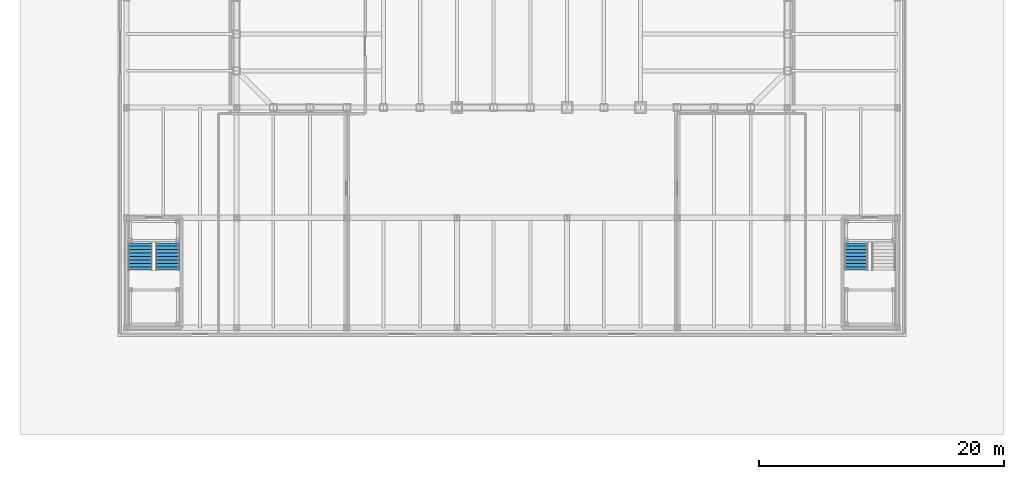
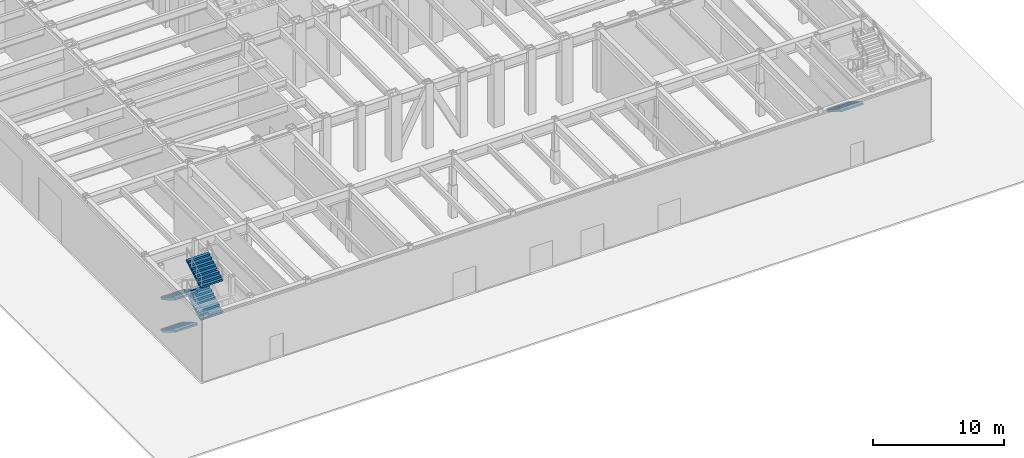
# One storey, part 11 of 35: 5 stair flights, 2 elements without a shape of their own.
"""IFC4 building model written with IfcOpenShell, lengths in metres."""

from ifc_helpers import new_model, si_unit, direction, frame, origin, place, context, subcontext, project, spatial, faceted_brep, material, type_object, element, aggregate, save


model = new_model("IFC4")

# Units and contexts
model_context = context("Model", 3, precision=1e-05, world=origin(), true_north=direction((0.0, 1.0)))
body_context = subcontext(model_context, "Body", "Model", "MODEL_VIEW")
ifc_project = project(units=[si_unit("LENGTHUNIT", "METRE"), si_unit("AREAUNIT", "SQUARE_METRE"), si_unit("VOLUMEUNIT", "CUBIC_METRE"), si_unit("PLANEANGLEUNIT", "RADIAN"), si_unit("MASSUNIT", "GRAM", prefix="KILO")], contexts=[model_context])

# Site, building, storey
site_placement = place(None, origin())
site = spatial("IfcSite", under=ifc_project, at=site_placement, CompositionType="ELEMENT")
building_placement = place(site_placement, origin())
building = spatial("IfcBuilding", under=site, at=building_placement, Name="Chuquiago Exchange Tower", CompositionType="ELEMENT")
storey_placement = place(building_placement, origin())
storey = spatial("IfcBuildingStorey", under=building, at=storey_placement, Name="L00", CompositionType="ELEMENT", Elevation=0.0)

# Stair, stair flights
ifc_material_1 = material(Name="Concrete C30/37, precast", Category="concrete")
stair_type_1 = type_object("IfcStairType", Name="PS1 double half-turn stair 6000", PredefinedType="DOUBLE_RETURN_STAIR", material=ifc_material_1)
stair_1_placement = place(storey_placement, origin())
stair_1 = element("IfcStair", 1, at=stair_1_placement, inside=storey, type_object=stair_type_1, Name="Stair PS1 L00", PredefinedType="DOUBLE_RETURN_STAIR")
ifc_material_2 = material(Name="Concrete C30/37, precast", Category="concrete")
stair_flight_type = type_object("IfcStairFlightType", Name="ST-F flight 1950 for 6000 storey", PredefinedType="STRAIGHT", material=ifc_material_2)
stair_flight_1_placement = place(storey_placement, frame((-7.875, -11.050048828125, 0.0), z_axis=(0.0, 0.0, 1.0), x_axis=(0.0, -1.0, 0.0)))
stair_flight_1 = element("IfcStairFlight", 2, at=stair_flight_1_placement, type_object=stair_flight_type, Name="PS1 flight 1", NumberOfRisers=9, NumberOfTreads=8, PredefinedType="STRAIGHT", RiserHeight=0.166666667, TreadLength=0.28, context=body_context, shape_type="Brep", body=[
    faceted_brep([(0.0, 0.97509765625, 0.0), (0.0, 0.97509765625, 0.166748046875), (0.280029296875, 0.97509765625, 0.166748046875), (0.280029296875, 0.97509765625, 0.333251953125), (0.56005859375, 0.97509765625, 0.333251953125), (0.56005859375, 0.97509765625, 0.5), (0.840087890625, 0.97509765625, 0.5), (0.840087890625, 0.97509765625, 0.666748046875), (1.1201171875, 0.97509765625, 0.666748046875), (1.1201171875, 0.97509765625, 0.833251953125), (1.39990234375, 0.97509765625, 0.833251953125), (1.39990234375, 0.97509765625, 1.0), (1.679931640625, 0.97509765625, 1.0), (1.679931640625, 0.97509765625, 1.166748046875), (1.9599609375, 0.97509765625, 1.166748046875), (1.9599609375, 0.97509765625, 1.333251953125), (2.239990234375, 0.97509765625, 1.333251953125), (2.239990234375, 0.97509765625, 1.158935546875), (0.29296875, 0.97509765625, 0.0), (0.29296875, -0.97509765625, 0.0), (2.239990234375, -0.97509765625, 1.158935546875), (2.239990234375, -0.97509765625, 1.333251953125), (1.9599609375, -0.97509765625, 1.333251953125), (1.9599609375, -0.97509765625, 1.166748046875), (1.679931640625, -0.97509765625, 1.166748046875), (1.679931640625, -0.97509765625, 1.0), (1.39990234375, -0.97509765625, 1.0), (1.39990234375, -0.97509765625, 0.833251953125), (1.1201171875, -0.97509765625, 0.833251953125), (1.1201171875, -0.97509765625, 0.666748046875), (0.840087890625, -0.97509765625, 0.666748046875), (0.840087890625, -0.97509765625, 0.5), (0.56005859375, -0.97509765625, 0.5), (0.56005859375, -0.97509765625, 0.333251953125), (0.280029296875, -0.97509765625, 0.333251953125), (0.280029296875, -0.97509765625, 0.166748046875), (0.0, -0.97509765625, 0.166748046875), (0.0, -0.97509765625, 0.0), (0.0, 0.487548828125, 0.0), (0.0, 0.487548828125, 0.166748046875), (0.0, 0.0, 0.0), (0.0, 0.0, 0.166748046875), (0.0, -0.487548828125, 0.0), (0.0, -0.487548828125, 0.166748046875), (0.280029296875, 0.487548828125, 0.166748046875), (0.280029296875, 0.0, 0.166748046875), (0.280029296875, -0.487548828125, 0.166748046875), (0.280029296875, 0.487548828125, 0.333251953125), (0.280029296875, 0.0, 0.333251953125), (0.280029296875, -0.487548828125, 0.333251953125), (0.56005859375, 0.487548828125, 0.333251953125), (0.56005859375, 0.0, 0.333251953125), (0.56005859375, -0.487548828125, 0.333251953125), (0.56005859375, 0.487548828125, 0.5), (0.56005859375, 0.0, 0.5), (0.56005859375, -0.487548828125, 0.5), (0.840087890625, 0.487548828125, 0.5), (0.840087890625, 0.0, 0.5), (0.840087890625, -0.487548828125, 0.5), (0.840087890625, 0.487548828125, 0.666748046875), (0.840087890625, 0.0, 0.666748046875), (0.840087890625, -0.487548828125, 0.666748046875), (1.1201171875, 0.487548828125, 0.666748046875), (1.1201171875, 0.0, 0.666748046875), (1.1201171875, -0.487548828125, 0.666748046875), (1.1201171875, 0.487548828125, 0.833251953125), (1.1201171875, 0.0, 0.833251953125), (1.1201171875, -0.487548828125, 0.833251953125), (1.39990234375, 0.487548828125, 0.833251953125), (1.39990234375, 0.0, 0.833251953125), (1.39990234375, -0.487548828125, 0.833251953125), (1.39990234375, 0.487548828125, 1.0), (1.39990234375, 0.0, 1.0), (1.39990234375, -0.487548828125, 1.0), (1.679931640625, 0.487548828125, 1.0), (1.679931640625, 0.0, 1.0), (1.679931640625, -0.487548828125, 1.0), (1.679931640625, 0.487548828125, 1.166748046875), (1.679931640625, 0.0, 1.166748046875), (1.679931640625, -0.487548828125, 1.166748046875), (1.9599609375, 0.487548828125, 1.166748046875), (1.9599609375, 0.0, 1.166748046875), (1.9599609375, -0.487548828125, 1.166748046875), (1.9599609375, 0.487548828125, 1.333251953125), (1.9599609375, 0.0, 1.333251953125), (1.9599609375, -0.487548828125, 1.333251953125), (2.239990234375, 0.487548828125, 1.333251953125), (2.239990234375, 0.0, 1.333251953125), (2.239990234375, -0.487548828125, 1.333251953125), (2.239990234375, 0.487548828125, 1.158935546875), (2.239990234375, 0.0, 1.158935546875), (2.239990234375, -0.487548828125, 1.158935546875), (0.29296875, 0.487548828125, 0.0), (0.29296875, 0.0, 0.0), (0.29296875, -0.487548828125, 0.0)], [[[0, 1, 2, 3, 4, 5, 6, 7, 8, 9, 10, 11, 12, 13, 14, 15, 16, 17, 18]], [[19, 20, 21, 22, 23, 24, 25, 26, 27, 28, 29, 30, 31, 32, 33, 34, 35, 36, 37]], [[1, 0, 38, 39]], [[39, 38, 40, 41]], [[41, 40, 42, 43]], [[43, 42, 37, 36]], [[2, 1, 39, 44]], [[44, 39, 41, 45]], [[45, 41, 43, 46]], [[46, 43, 36, 35]], [[3, 2, 44, 47]], [[47, 44, 45, 48]], [[48, 45, 46, 49]], [[49, 46, 35, 34]], [[4, 3, 47, 50]], [[50, 47, 48, 51]], [[51, 48, 49, 52]], [[52, 49, 34, 33]], [[5, 4, 50, 53]], [[53, 50, 51, 54]], [[54, 51, 52, 55]], [[55, 52, 33, 32]], [[6, 5, 53, 56]], [[56, 53, 54, 57]], [[57, 54, 55, 58]], [[58, 55, 32, 31]], [[7, 6, 56, 59]], [[59, 56, 57, 60]], [[60, 57, 58, 61]], [[61, 58, 31, 30]], [[8, 7, 59, 62]], [[62, 59, 60, 63]], [[63, 60, 61, 64]], [[64, 61, 30, 29]], [[9, 8, 62, 65]], [[65, 62, 63, 66]], [[66, 63, 64, 67]], [[67, 64, 29, 28]], [[10, 9, 65, 68]], [[68, 65, 66, 69]], [[69, 66, 67, 70]], [[70, 67, 28, 27]], [[11, 10, 68, 71]], [[71, 68, 69, 72]], [[72, 69, 70, 73]], [[73, 70, 27, 26]], [[12, 11, 71, 74]], [[74, 71, 72, 75]], [[75, 72, 73, 76]], [[76, 73, 26, 25]], [[13, 12, 74, 77]], [[77, 74, 75, 78]], [[78, 75, 76, 79]], [[79, 76, 25, 24]], [[14, 13, 77, 80]], [[80, 77, 78, 81]], [[81, 78, 79, 82]], [[82, 79, 24, 23]], [[15, 14, 80, 83]], [[83, 80, 81, 84]], [[84, 81, 82, 85]], [[85, 82, 23, 22]], [[16, 15, 83, 86]], [[86, 83, 84, 87]], [[87, 84, 85, 88]], [[88, 85, 22, 21]], [[17, 16, 86, 89]], [[89, 86, 87, 90]], [[90, 87, 88, 91]], [[91, 88, 21, 20]], [[18, 17, 89, 92]], [[92, 89, 90, 93]], [[93, 90, 91, 94]], [[94, 91, 20, 19]], [[0, 18, 92, 38]], [[38, 92, 93, 40]], [[40, 93, 94, 42]], [[42, 94, 19, 37]]]),
])
stair_flight_2_placement = place(storey_placement, frame((-5.625, -13.2900390625, 1.5), z_axis=(0.0, 0.0, 1.0), x_axis=(0.0, 1.0, 0.0)))
stair_flight_2 = element("IfcStairFlight", 3, at=stair_flight_2_placement, type_object=stair_flight_type, Name="PS1 flight 2", NumberOfRisers=9, NumberOfTreads=8, PredefinedType="STRAIGHT", RiserHeight=0.166666667, TreadLength=0.28, context=body_context, shape_type="Brep", body=[
    faceted_brep([(0.0, 0.97509765625, 0.0), (0.0, 0.97509765625, 0.166748046875), (0.280029296875, 0.97509765625, 0.166748046875), (0.280029296875, 0.97509765625, 0.333251953125), (0.56005859375, 0.97509765625, 0.333251953125), (0.56005859375, 0.97509765625, 0.5), (0.840087890625, 0.97509765625, 0.5), (0.840087890625, 0.97509765625, 0.666748046875), (1.1201171875, 0.97509765625, 0.666748046875), (1.1201171875, 0.97509765625, 0.833251953125), (1.39990234375, 0.97509765625, 0.833251953125), (1.39990234375, 0.97509765625, 1.0), (1.679931640625, 0.97509765625, 1.0), (1.679931640625, 0.97509765625, 1.166748046875), (1.9599609375, 0.97509765625, 1.166748046875), (1.9599609375, 0.97509765625, 1.333251953125), (2.239990234375, 0.97509765625, 1.333251953125), (2.239990234375, 0.97509765625, 1.158935546875), (0.29296875, 0.97509765625, 0.0), (0.29296875, -0.97509765625, 0.0), (2.239990234375, -0.97509765625, 1.158935546875), (2.239990234375, -0.97509765625, 1.333251953125), (1.9599609375, -0.97509765625, 1.333251953125), (1.9599609375, -0.97509765625, 1.166748046875), (1.679931640625, -0.97509765625, 1.166748046875), (1.679931640625, -0.97509765625, 1.0), (1.39990234375, -0.97509765625, 1.0), (1.39990234375, -0.97509765625, 0.833251953125), (1.1201171875, -0.97509765625, 0.833251953125), (1.1201171875, -0.97509765625, 0.666748046875), (0.840087890625, -0.97509765625, 0.666748046875), (0.840087890625, -0.97509765625, 0.5), (0.56005859375, -0.97509765625, 0.5), (0.56005859375, -0.97509765625, 0.333251953125), (0.280029296875, -0.97509765625, 0.333251953125), (0.280029296875, -0.97509765625, 0.166748046875), (0.0, -0.97509765625, 0.166748046875), (0.0, -0.97509765625, 0.0), (0.0, 0.487548828125, 0.0), (0.0, 0.487548828125, 0.166748046875), (0.0, 0.0, 0.0), (0.0, 0.0, 0.166748046875), (0.0, -0.487548828125, 0.0), (0.0, -0.487548828125, 0.166748046875), (0.280029296875, 0.487548828125, 0.166748046875), (0.280029296875, 0.0, 0.166748046875), (0.280029296875, -0.487548828125, 0.166748046875), (0.280029296875, 0.487548828125, 0.333251953125), (0.280029296875, 0.0, 0.333251953125), (0.280029296875, -0.487548828125, 0.333251953125), (0.56005859375, 0.487548828125, 0.333251953125), (0.56005859375, 0.0, 0.333251953125), (0.56005859375, -0.487548828125, 0.333251953125), (0.56005859375, 0.487548828125, 0.5), (0.56005859375, 0.0, 0.5), (0.56005859375, -0.487548828125, 0.5), (0.840087890625, 0.487548828125, 0.5), (0.840087890625, 0.0, 0.5), (0.840087890625, -0.487548828125, 0.5), (0.840087890625, 0.487548828125, 0.666748046875), (0.840087890625, 0.0, 0.666748046875), (0.840087890625, -0.487548828125, 0.666748046875), (1.1201171875, 0.487548828125, 0.666748046875), (1.1201171875, 0.0, 0.666748046875), (1.1201171875, -0.487548828125, 0.666748046875), (1.1201171875, 0.487548828125, 0.833251953125), (1.1201171875, 0.0, 0.833251953125), (1.1201171875, -0.487548828125, 0.833251953125), (1.39990234375, 0.487548828125, 0.833251953125), (1.39990234375, 0.0, 0.833251953125), (1.39990234375, -0.487548828125, 0.833251953125), (1.39990234375, 0.487548828125, 1.0), (1.39990234375, 0.0, 1.0), (1.39990234375, -0.487548828125, 1.0), (1.679931640625, 0.487548828125, 1.0), (1.679931640625, 0.0, 1.0), (1.679931640625, -0.487548828125, 1.0), (1.679931640625, 0.487548828125, 1.166748046875), (1.679931640625, 0.0, 1.166748046875), (1.679931640625, -0.487548828125, 1.166748046875), (1.9599609375, 0.487548828125, 1.166748046875), (1.9599609375, 0.0, 1.166748046875), (1.9599609375, -0.487548828125, 1.166748046875), (1.9599609375, 0.487548828125, 1.333251953125), (1.9599609375, 0.0, 1.333251953125), (1.9599609375, -0.487548828125, 1.333251953125), (2.239990234375, 0.487548828125, 1.333251953125), (2.239990234375, 0.0, 1.333251953125), (2.239990234375, -0.487548828125, 1.333251953125), (2.239990234375, 0.487548828125, 1.158935546875), (2.239990234375, 0.0, 1.158935546875), (2.239990234375, -0.487548828125, 1.158935546875), (0.29296875, 0.487548828125, 0.0), (0.29296875, 0.0, 0.0), (0.29296875, -0.487548828125, 0.0)], [[[0, 1, 2, 3, 4, 5, 6, 7, 8, 9, 10, 11, 12, 13, 14, 15, 16, 17, 18]], [[19, 20, 21, 22, 23, 24, 25, 26, 27, 28, 29, 30, 31, 32, 33, 34, 35, 36, 37]], [[1, 0, 38, 39]], [[39, 38, 40, 41]], [[41, 40, 42, 43]], [[43, 42, 37, 36]], [[2, 1, 39, 44]], [[44, 39, 41, 45]], [[45, 41, 43, 46]], [[46, 43, 36, 35]], [[3, 2, 44, 47]], [[47, 44, 45, 48]], [[48, 45, 46, 49]], [[49, 46, 35, 34]], [[4, 3, 47, 50]], [[50, 47, 48, 51]], [[51, 48, 49, 52]], [[52, 49, 34, 33]], [[5, 4, 50, 53]], [[53, 50, 51, 54]], [[54, 51, 52, 55]], [[55, 52, 33, 32]], [[6, 5, 53, 56]], [[56, 53, 54, 57]], [[57, 54, 55, 58]], [[58, 55, 32, 31]], [[7, 6, 56, 59]], [[59, 56, 57, 60]], [[60, 57, 58, 61]], [[61, 58, 31, 30]], [[8, 7, 59, 62]], [[62, 59, 60, 63]], [[63, 60, 61, 64]], [[64, 61, 30, 29]], [[9, 8, 62, 65]], [[65, 62, 63, 66]], [[66, 63, 64, 67]], [[67, 64, 29, 28]], [[10, 9, 65, 68]], [[68, 65, 66, 69]], [[69, 66, 67, 70]], [[70, 67, 28, 27]], [[11, 10, 68, 71]], [[71, 68, 69, 72]], [[72, 69, 70, 73]], [[73, 70, 27, 26]], [[12, 11, 71, 74]], [[74, 71, 72, 75]], [[75, 72, 73, 76]], [[76, 73, 26, 25]], [[13, 12, 74, 77]], [[77, 74, 75, 78]], [[78, 75, 76, 79]], [[79, 76, 25, 24]], [[14, 13, 77, 80]], [[80, 77, 78, 81]], [[81, 78, 79, 82]], [[82, 79, 24, 23]], [[15, 14, 80, 83]], [[83, 80, 81, 84]], [[84, 81, 82, 85]], [[85, 82, 23, 22]], [[16, 15, 83, 86]], [[86, 83, 84, 87]], [[87, 84, 85, 88]], [[88, 85, 22, 21]], [[17, 16, 86, 89]], [[89, 86, 87, 90]], [[90, 87, 88, 91]], [[91, 88, 21, 20]], [[18, 17, 89, 92]], [[92, 89, 90, 93]], [[93, 90, 91, 94]], [[94, 91, 20, 19]], [[0, 18, 92, 38]], [[38, 92, 93, 40]], [[40, 93, 94, 42]], [[42, 94, 19, 37]]]),
])
stair_flight_3_placement = place(storey_placement, frame((-7.875, -11.050048828125, 3.0), z_axis=(0.0, 0.0, 1.0), x_axis=(0.0, -1.0, 0.0)))
stair_flight_3 = element("IfcStairFlight", 4, at=stair_flight_3_placement, type_object=stair_flight_type, Name="PS1 flight 3", NumberOfRisers=9, NumberOfTreads=8, PredefinedType="STRAIGHT", RiserHeight=0.166666667, TreadLength=0.28, context=body_context, shape_type="Brep", body=[
    faceted_brep([(0.0, 0.97509765625, 0.0), (0.0, 0.97509765625, 0.166748046875), (0.280029296875, 0.97509765625, 0.166748046875), (0.280029296875, 0.97509765625, 0.333251953125), (0.56005859375, 0.97509765625, 0.333251953125), (0.56005859375, 0.97509765625, 0.5), (0.840087890625, 0.97509765625, 0.5), (0.840087890625, 0.97509765625, 0.666748046875), (1.1201171875, 0.97509765625, 0.666748046875), (1.1201171875, 0.97509765625, 0.833251953125), (1.39990234375, 0.97509765625, 0.833251953125), (1.39990234375, 0.97509765625, 1.0), (1.679931640625, 0.97509765625, 1.0), (1.679931640625, 0.97509765625, 1.166748046875), (1.9599609375, 0.97509765625, 1.166748046875), (1.9599609375, 0.97509765625, 1.333251953125), (2.239990234375, 0.97509765625, 1.333251953125), (2.239990234375, 0.97509765625, 1.158935546875), (0.29296875, 0.97509765625, 0.0), (0.29296875, -0.97509765625, 0.0), (2.239990234375, -0.97509765625, 1.158935546875), (2.239990234375, -0.97509765625, 1.333251953125), (1.9599609375, -0.97509765625, 1.333251953125), (1.9599609375, -0.97509765625, 1.166748046875), (1.679931640625, -0.97509765625, 1.166748046875), (1.679931640625, -0.97509765625, 1.0), (1.39990234375, -0.97509765625, 1.0), (1.39990234375, -0.97509765625, 0.833251953125), (1.1201171875, -0.97509765625, 0.833251953125), (1.1201171875, -0.97509765625, 0.666748046875), (0.840087890625, -0.97509765625, 0.666748046875), (0.840087890625, -0.97509765625, 0.5), (0.56005859375, -0.97509765625, 0.5), (0.56005859375, -0.97509765625, 0.333251953125), (0.280029296875, -0.97509765625, 0.333251953125), (0.280029296875, -0.97509765625, 0.166748046875), (0.0, -0.97509765625, 0.166748046875), (0.0, -0.97509765625, 0.0), (0.0, 0.487548828125, 0.0), (0.0, 0.487548828125, 0.166748046875), (0.0, 0.0, 0.0), (0.0, 0.0, 0.166748046875), (0.0, -0.487548828125, 0.0), (0.0, -0.487548828125, 0.166748046875), (0.280029296875, 0.487548828125, 0.166748046875), (0.280029296875, 0.0, 0.166748046875), (0.280029296875, -0.487548828125, 0.166748046875), (0.280029296875, 0.487548828125, 0.333251953125), (0.280029296875, 0.0, 0.333251953125), (0.280029296875, -0.487548828125, 0.333251953125), (0.56005859375, 0.487548828125, 0.333251953125), (0.56005859375, 0.0, 0.333251953125), (0.56005859375, -0.487548828125, 0.333251953125), (0.56005859375, 0.487548828125, 0.5), (0.56005859375, 0.0, 0.5), (0.56005859375, -0.487548828125, 0.5), (0.840087890625, 0.487548828125, 0.5), (0.840087890625, 0.0, 0.5), (0.840087890625, -0.487548828125, 0.5), (0.840087890625, 0.487548828125, 0.666748046875), (0.840087890625, 0.0, 0.666748046875), (0.840087890625, -0.487548828125, 0.666748046875), (1.1201171875, 0.487548828125, 0.666748046875), (1.1201171875, 0.0, 0.666748046875), (1.1201171875, -0.487548828125, 0.666748046875), (1.1201171875, 0.487548828125, 0.833251953125), (1.1201171875, 0.0, 0.833251953125), (1.1201171875, -0.487548828125, 0.833251953125), (1.39990234375, 0.487548828125, 0.833251953125), (1.39990234375, 0.0, 0.833251953125), (1.39990234375, -0.487548828125, 0.833251953125), (1.39990234375, 0.487548828125, 1.0), (1.39990234375, 0.0, 1.0), (1.39990234375, -0.487548828125, 1.0), (1.679931640625, 0.487548828125, 1.0), (1.679931640625, 0.0, 1.0), (1.679931640625, -0.487548828125, 1.0), (1.679931640625, 0.487548828125, 1.166748046875), (1.679931640625, 0.0, 1.166748046875), (1.679931640625, -0.487548828125, 1.166748046875), (1.9599609375, 0.487548828125, 1.166748046875), (1.9599609375, 0.0, 1.166748046875), (1.9599609375, -0.487548828125, 1.166748046875), (1.9599609375, 0.487548828125, 1.333251953125), (1.9599609375, 0.0, 1.333251953125), (1.9599609375, -0.487548828125, 1.333251953125), (2.239990234375, 0.487548828125, 1.333251953125), (2.239990234375, 0.0, 1.333251953125), (2.239990234375, -0.487548828125, 1.333251953125), (2.239990234375, 0.487548828125, 1.158935546875), (2.239990234375, 0.0, 1.158935546875), (2.239990234375, -0.487548828125, 1.158935546875), (0.29296875, 0.487548828125, 0.0), (0.29296875, 0.0, 0.0), (0.29296875, -0.487548828125, 0.0)], [[[0, 1, 2, 3, 4, 5, 6, 7, 8, 9, 10, 11, 12, 13, 14, 15, 16, 17, 18]], [[19, 20, 21, 22, 23, 24, 25, 26, 27, 28, 29, 30, 31, 32, 33, 34, 35, 36, 37]], [[1, 0, 38, 39]], [[39, 38, 40, 41]], [[41, 40, 42, 43]], [[43, 42, 37, 36]], [[2, 1, 39, 44]], [[44, 39, 41, 45]], [[45, 41, 43, 46]], [[46, 43, 36, 35]], [[3, 2, 44, 47]], [[47, 44, 45, 48]], [[48, 45, 46, 49]], [[49, 46, 35, 34]], [[4, 3, 47, 50]], [[50, 47, 48, 51]], [[51, 48, 49, 52]], [[52, 49, 34, 33]], [[5, 4, 50, 53]], [[53, 50, 51, 54]], [[54, 51, 52, 55]], [[55, 52, 33, 32]], [[6, 5, 53, 56]], [[56, 53, 54, 57]], [[57, 54, 55, 58]], [[58, 55, 32, 31]], [[7, 6, 56, 59]], [[59, 56, 57, 60]], [[60, 57, 58, 61]], [[61, 58, 31, 30]], [[8, 7, 59, 62]], [[62, 59, 60, 63]], [[63, 60, 61, 64]], [[64, 61, 30, 29]], [[9, 8, 62, 65]], [[65, 62, 63, 66]], [[66, 63, 64, 67]], [[67, 64, 29, 28]], [[10, 9, 65, 68]], [[68, 65, 66, 69]], [[69, 66, 67, 70]], [[70, 67, 28, 27]], [[11, 10, 68, 71]], [[71, 68, 69, 72]], [[72, 69, 70, 73]], [[73, 70, 27, 26]], [[12, 11, 71, 74]], [[74, 71, 72, 75]], [[75, 72, 73, 76]], [[76, 73, 26, 25]], [[13, 12, 74, 77]], [[77, 74, 75, 78]], [[78, 75, 76, 79]], [[79, 76, 25, 24]], [[14, 13, 77, 80]], [[80, 77, 78, 81]], [[81, 78, 79, 82]], [[82, 79, 24, 23]], [[15, 14, 80, 83]], [[83, 80, 81, 84]], [[84, 81, 82, 85]], [[85, 82, 23, 22]], [[16, 15, 83, 86]], [[86, 83, 84, 87]], [[87, 84, 85, 88]], [[88, 85, 22, 21]], [[17, 16, 86, 89]], [[89, 86, 87, 90]], [[90, 87, 88, 91]], [[91, 88, 21, 20]], [[18, 17, 89, 92]], [[92, 89, 90, 93]], [[93, 90, 91, 94]], [[94, 91, 20, 19]], [[0, 18, 92, 38]], [[38, 92, 93, 40]], [[40, 93, 94, 42]], [[42, 94, 19, 37]]]),
])
stair_flight_4_placement = place(storey_placement, frame((-5.625, -13.2900390625, 4.5), z_axis=(0.0, 0.0, 1.0), x_axis=(0.0, 1.0, 0.0)))
stair_flight_4 = element("IfcStairFlight", 5, at=stair_flight_4_placement, type_object=stair_flight_type, Name="PS1 flight 4", NumberOfRisers=9, NumberOfTreads=8, PredefinedType="STRAIGHT", RiserHeight=0.166666667, TreadLength=0.28, context=body_context, shape_type="Brep", body=[
    faceted_brep([(0.0, 0.97509765625, 0.0), (0.0, 0.97509765625, 0.166748046875), (0.280029296875, 0.97509765625, 0.166748046875), (0.280029296875, 0.97509765625, 0.333251953125), (0.56005859375, 0.97509765625, 0.333251953125), (0.56005859375, 0.97509765625, 0.5), (0.840087890625, 0.97509765625, 0.5), (0.840087890625, 0.97509765625, 0.666748046875), (1.1201171875, 0.97509765625, 0.666748046875), (1.1201171875, 0.97509765625, 0.833251953125), (1.39990234375, 0.97509765625, 0.833251953125), (1.39990234375, 0.97509765625, 1.0), (1.679931640625, 0.97509765625, 1.0), (1.679931640625, 0.97509765625, 1.166748046875), (1.9599609375, 0.97509765625, 1.166748046875), (1.9599609375, 0.97509765625, 1.333251953125), (2.239990234375, 0.97509765625, 1.333251953125), (2.239990234375, 0.97509765625, 1.158935546875), (0.29296875, 0.97509765625, 0.0), (0.29296875, -0.97509765625, 0.0), (2.239990234375, -0.97509765625, 1.158935546875), (2.239990234375, -0.97509765625, 1.333251953125), (1.9599609375, -0.97509765625, 1.333251953125), (1.9599609375, -0.97509765625, 1.166748046875), (1.679931640625, -0.97509765625, 1.166748046875), (1.679931640625, -0.97509765625, 1.0), (1.39990234375, -0.97509765625, 1.0), (1.39990234375, -0.97509765625, 0.833251953125), (1.1201171875, -0.97509765625, 0.833251953125), (1.1201171875, -0.97509765625, 0.666748046875), (0.840087890625, -0.97509765625, 0.666748046875), (0.840087890625, -0.97509765625, 0.5), (0.56005859375, -0.97509765625, 0.5), (0.56005859375, -0.97509765625, 0.333251953125), (0.280029296875, -0.97509765625, 0.333251953125), (0.280029296875, -0.97509765625, 0.166748046875), (0.0, -0.97509765625, 0.166748046875), (0.0, -0.97509765625, 0.0), (0.0, 0.487548828125, 0.0), (0.0, 0.487548828125, 0.166748046875), (0.0, 0.0, 0.0), (0.0, 0.0, 0.166748046875), (0.0, -0.487548828125, 0.0), (0.0, -0.487548828125, 0.166748046875), (0.280029296875, 0.487548828125, 0.166748046875), (0.280029296875, 0.0, 0.166748046875), (0.280029296875, -0.487548828125, 0.166748046875), (0.280029296875, 0.487548828125, 0.333251953125), (0.280029296875, 0.0, 0.333251953125), (0.280029296875, -0.487548828125, 0.333251953125), (0.56005859375, 0.487548828125, 0.333251953125), (0.56005859375, 0.0, 0.333251953125), (0.56005859375, -0.487548828125, 0.333251953125), (0.56005859375, 0.487548828125, 0.5), (0.56005859375, 0.0, 0.5), (0.56005859375, -0.487548828125, 0.5), (0.840087890625, 0.487548828125, 0.5), (0.840087890625, 0.0, 0.5), (0.840087890625, -0.487548828125, 0.5), (0.840087890625, 0.487548828125, 0.666748046875), (0.840087890625, 0.0, 0.666748046875), (0.840087890625, -0.487548828125, 0.666748046875), (1.1201171875, 0.487548828125, 0.666748046875), (1.1201171875, 0.0, 0.666748046875), (1.1201171875, -0.487548828125, 0.666748046875), (1.1201171875, 0.487548828125, 0.833251953125), (1.1201171875, 0.0, 0.833251953125), (1.1201171875, -0.487548828125, 0.833251953125), (1.39990234375, 0.487548828125, 0.833251953125), (1.39990234375, 0.0, 0.833251953125), (1.39990234375, -0.487548828125, 0.833251953125), (1.39990234375, 0.487548828125, 1.0), (1.39990234375, 0.0, 1.0), (1.39990234375, -0.487548828125, 1.0), (1.679931640625, 0.487548828125, 1.0), (1.679931640625, 0.0, 1.0), (1.679931640625, -0.487548828125, 1.0), (1.679931640625, 0.487548828125, 1.166748046875), (1.679931640625, 0.0, 1.166748046875), (1.679931640625, -0.487548828125, 1.166748046875), (1.9599609375, 0.487548828125, 1.166748046875), (1.9599609375, 0.0, 1.166748046875), (1.9599609375, -0.487548828125, 1.166748046875), (1.9599609375, 0.487548828125, 1.333251953125), (1.9599609375, 0.0, 1.333251953125), (1.9599609375, -0.487548828125, 1.333251953125), (2.239990234375, 0.487548828125, 1.333251953125), (2.239990234375, 0.0, 1.333251953125), (2.239990234375, -0.487548828125, 1.333251953125), (2.239990234375, 0.487548828125, 1.158935546875), (2.239990234375, 0.0, 1.158935546875), (2.239990234375, -0.487548828125, 1.158935546875), (0.29296875, 0.487548828125, 0.0), (0.29296875, 0.0, 0.0), (0.29296875, -0.487548828125, 0.0)], [[[0, 1, 2, 3, 4, 5, 6, 7, 8, 9, 10, 11, 12, 13, 14, 15, 16, 17, 18]], [[19, 20, 21, 22, 23, 24, 25, 26, 27, 28, 29, 30, 31, 32, 33, 34, 35, 36, 37]], [[1, 0, 38, 39]], [[39, 38, 40, 41]], [[41, 40, 42, 43]], [[43, 42, 37, 36]], [[2, 1, 39, 44]], [[44, 39, 41, 45]], [[45, 41, 43, 46]], [[46, 43, 36, 35]], [[3, 2, 44, 47]], [[47, 44, 45, 48]], [[48, 45, 46, 49]], [[49, 46, 35, 34]], [[4, 3, 47, 50]], [[50, 47, 48, 51]], [[51, 48, 49, 52]], [[52, 49, 34, 33]], [[5, 4, 50, 53]], [[53, 50, 51, 54]], [[54, 51, 52, 55]], [[55, 52, 33, 32]], [[6, 5, 53, 56]], [[56, 53, 54, 57]], [[57, 54, 55, 58]], [[58, 55, 32, 31]], [[7, 6, 56, 59]], [[59, 56, 57, 60]], [[60, 57, 58, 61]], [[61, 58, 31, 30]], [[8, 7, 59, 62]], [[62, 59, 60, 63]], [[63, 60, 61, 64]], [[64, 61, 30, 29]], [[9, 8, 62, 65]], [[65, 62, 63, 66]], [[66, 63, 64, 67]], [[67, 64, 29, 28]], [[10, 9, 65, 68]], [[68, 65, 66, 69]], [[69, 66, 67, 70]], [[70, 67, 28, 27]], [[11, 10, 68, 71]], [[71, 68, 69, 72]], [[72, 69, 70, 73]], [[73, 70, 27, 26]], [[12, 11, 71, 74]], [[74, 71, 72, 75]], [[75, 72, 73, 76]], [[76, 73, 26, 25]], [[13, 12, 74, 77]], [[77, 74, 75, 78]], [[78, 75, 76, 79]], [[79, 76, 25, 24]], [[14, 13, 77, 80]], [[80, 77, 78, 81]], [[81, 78, 79, 82]], [[82, 79, 24, 23]], [[15, 14, 80, 83]], [[83, 80, 81, 84]], [[84, 81, 82, 85]], [[85, 82, 23, 22]], [[16, 15, 83, 86]], [[86, 83, 84, 87]], [[87, 84, 85, 88]], [[88, 85, 22, 21]], [[17, 16, 86, 89]], [[89, 86, 87, 90]], [[90, 87, 88, 91]], [[91, 88, 21, 20]], [[18, 17, 89, 92]], [[92, 89, 90, 93]], [[93, 90, 91, 94]], [[94, 91, 20, 19]], [[0, 18, 92, 38]], [[38, 92, 93, 40]], [[40, 93, 94, 42]], [[42, 94, 19, 37]]]),
])
aggregate(stair_1, [stair_flight_1, stair_flight_2, stair_flight_3, stair_flight_4])

# Stair, stair flight
ifc_material_3 = material(Name="Concrete C30/37, precast", Category="concrete")
stair_type_2 = type_object("IfcStairType", Name="PS2 double half-turn stair 6000", PredefinedType="DOUBLE_RETURN_STAIR", material=ifc_material_3)
stair_2_placement = place(storey_placement, origin())
stair_2 = element("IfcStair", 6, at=stair_2_placement, inside=storey, type_object=stair_type_2, Name="Stair PS2 L00", PredefinedType="DOUBLE_RETURN_STAIR")
stair_flight_5_placement = place(storey_placement, frame((50.625, -11.050048828125, 0.0), z_axis=(0.0, 0.0, 1.0), x_axis=(0.0, -1.0, 0.0)))
stair_flight_5 = element("IfcStairFlight", 7, at=stair_flight_5_placement, type_object=stair_flight_type, Name="PS2 flight 1", NumberOfRisers=9, NumberOfTreads=8, PredefinedType="STRAIGHT", RiserHeight=0.166666667, TreadLength=0.28, context=body_context, shape_type="Brep", body=[
    faceted_brep([(0.0, 0.97509765625, 0.0), (0.0, 0.97509765625, 0.166748046875), (0.280029296875, 0.97509765625, 0.166748046875), (0.280029296875, 0.97509765625, 0.333251953125), (0.56005859375, 0.97509765625, 0.333251953125), (0.56005859375, 0.97509765625, 0.5), (0.840087890625, 0.97509765625, 0.5), (0.840087890625, 0.97509765625, 0.666748046875), (1.1201171875, 0.97509765625, 0.666748046875), (1.1201171875, 0.97509765625, 0.833251953125), (1.39990234375, 0.97509765625, 0.833251953125), (1.39990234375, 0.97509765625, 1.0), (1.679931640625, 0.97509765625, 1.0), (1.679931640625, 0.97509765625, 1.166748046875), (1.9599609375, 0.97509765625, 1.166748046875), (1.9599609375, 0.97509765625, 1.333251953125), (2.239990234375, 0.97509765625, 1.333251953125), (2.239990234375, 0.97509765625, 1.158935546875), (0.29296875, 0.97509765625, 0.0), (0.29296875, -0.97509765625, 0.0), (2.239990234375, -0.97509765625, 1.158935546875), (2.239990234375, -0.97509765625, 1.333251953125), (1.9599609375, -0.97509765625, 1.333251953125), (1.9599609375, -0.97509765625, 1.166748046875), (1.679931640625, -0.97509765625, 1.166748046875), (1.679931640625, -0.97509765625, 1.0), (1.39990234375, -0.97509765625, 1.0), (1.39990234375, -0.97509765625, 0.833251953125), (1.1201171875, -0.97509765625, 0.833251953125), (1.1201171875, -0.97509765625, 0.666748046875), (0.840087890625, -0.97509765625, 0.666748046875), (0.840087890625, -0.97509765625, 0.5), (0.56005859375, -0.97509765625, 0.5), (0.56005859375, -0.97509765625, 0.333251953125), (0.280029296875, -0.97509765625, 0.333251953125), (0.280029296875, -0.97509765625, 0.166748046875), (0.0, -0.97509765625, 0.166748046875), (0.0, -0.97509765625, 0.0), (0.0, 0.487548828125, 0.0), (0.0, 0.487548828125, 0.166748046875), (0.0, 0.0, 0.0), (0.0, 0.0, 0.166748046875), (0.0, -0.487548828125, 0.0), (0.0, -0.487548828125, 0.166748046875), (0.280029296875, 0.487548828125, 0.166748046875), (0.280029296875, 0.0, 0.166748046875), (0.280029296875, -0.487548828125, 0.166748046875), (0.280029296875, 0.487548828125, 0.333251953125), (0.280029296875, 0.0, 0.333251953125), (0.280029296875, -0.487548828125, 0.333251953125), (0.56005859375, 0.487548828125, 0.333251953125), (0.56005859375, 0.0, 0.333251953125), (0.56005859375, -0.487548828125, 0.333251953125), (0.56005859375, 0.487548828125, 0.5), (0.56005859375, 0.0, 0.5), (0.56005859375, -0.487548828125, 0.5), (0.840087890625, 0.487548828125, 0.5), (0.840087890625, 0.0, 0.5), (0.840087890625, -0.487548828125, 0.5), (0.840087890625, 0.487548828125, 0.666748046875), (0.840087890625, 0.0, 0.666748046875), (0.840087890625, -0.487548828125, 0.666748046875), (1.1201171875, 0.487548828125, 0.666748046875), (1.1201171875, 0.0, 0.666748046875), (1.1201171875, -0.487548828125, 0.666748046875), (1.1201171875, 0.487548828125, 0.833251953125), (1.1201171875, 0.0, 0.833251953125), (1.1201171875, -0.487548828125, 0.833251953125), (1.39990234375, 0.487548828125, 0.833251953125), (1.39990234375, 0.0, 0.833251953125), (1.39990234375, -0.487548828125, 0.833251953125), (1.39990234375, 0.487548828125, 1.0), (1.39990234375, 0.0, 1.0), (1.39990234375, -0.487548828125, 1.0), (1.679931640625, 0.487548828125, 1.0), (1.679931640625, 0.0, 1.0), (1.679931640625, -0.487548828125, 1.0), (1.679931640625, 0.487548828125, 1.166748046875), (1.679931640625, 0.0, 1.166748046875), (1.679931640625, -0.487548828125, 1.166748046875), (1.9599609375, 0.487548828125, 1.166748046875), (1.9599609375, 0.0, 1.166748046875), (1.9599609375, -0.487548828125, 1.166748046875), (1.9599609375, 0.487548828125, 1.333251953125), (1.9599609375, 0.0, 1.333251953125), (1.9599609375, -0.487548828125, 1.333251953125), (2.239990234375, 0.487548828125, 1.333251953125), (2.239990234375, 0.0, 1.333251953125), (2.239990234375, -0.487548828125, 1.333251953125), (2.239990234375, 0.487548828125, 1.158935546875), (2.239990234375, 0.0, 1.158935546875), (2.239990234375, -0.487548828125, 1.158935546875), (0.29296875, 0.487548828125, 0.0), (0.29296875, 0.0, 0.0), (0.29296875, -0.487548828125, 0.0)], [[[0, 1, 2, 3, 4, 5, 6, 7, 8, 9, 10, 11, 12, 13, 14, 15, 16, 17, 18]], [[19, 20, 21, 22, 23, 24, 25, 26, 27, 28, 29, 30, 31, 32, 33, 34, 35, 36, 37]], [[1, 0, 38, 39]], [[39, 38, 40, 41]], [[41, 40, 42, 43]], [[43, 42, 37, 36]], [[2, 1, 39, 44]], [[44, 39, 41, 45]], [[45, 41, 43, 46]], [[46, 43, 36, 35]], [[3, 2, 44, 47]], [[47, 44, 45, 48]], [[48, 45, 46, 49]], [[49, 46, 35, 34]], [[4, 3, 47, 50]], [[50, 47, 48, 51]], [[51, 48, 49, 52]], [[52, 49, 34, 33]], [[5, 4, 50, 53]], [[53, 50, 51, 54]], [[54, 51, 52, 55]], [[55, 52, 33, 32]], [[6, 5, 53, 56]], [[56, 53, 54, 57]], [[57, 54, 55, 58]], [[58, 55, 32, 31]], [[7, 6, 56, 59]], [[59, 56, 57, 60]], [[60, 57, 58, 61]], [[61, 58, 31, 30]], [[8, 7, 59, 62]], [[62, 59, 60, 63]], [[63, 60, 61, 64]], [[64, 61, 30, 29]], [[9, 8, 62, 65]], [[65, 62, 63, 66]], [[66, 63, 64, 67]], [[67, 64, 29, 28]], [[10, 9, 65, 68]], [[68, 65, 66, 69]], [[69, 66, 67, 70]], [[70, 67, 28, 27]], [[11, 10, 68, 71]], [[71, 68, 69, 72]], [[72, 69, 70, 73]], [[73, 70, 27, 26]], [[12, 11, 71, 74]], [[74, 71, 72, 75]], [[75, 72, 73, 76]], [[76, 73, 26, 25]], [[13, 12, 74, 77]], [[77, 74, 75, 78]], [[78, 75, 76, 79]], [[79, 76, 25, 24]], [[14, 13, 77, 80]], [[80, 77, 78, 81]], [[81, 78, 79, 82]], [[82, 79, 24, 23]], [[15, 14, 80, 83]], [[83, 80, 81, 84]], [[84, 81, 82, 85]], [[85, 82, 23, 22]], [[16, 15, 83, 86]], [[86, 83, 84, 87]], [[87, 84, 85, 88]], [[88, 85, 22, 21]], [[17, 16, 86, 89]], [[89, 86, 87, 90]], [[90, 87, 88, 91]], [[91, 88, 21, 20]], [[18, 17, 89, 92]], [[92, 89, 90, 93]], [[93, 90, 91, 94]], [[94, 91, 20, 19]], [[0, 18, 92, 38]], [[38, 92, 93, 40]], [[40, 93, 94, 42]], [[42, 94, 19, 37]]]),
])
aggregate(stair_2, [stair_flight_5])

save(model, "model.ifc")
